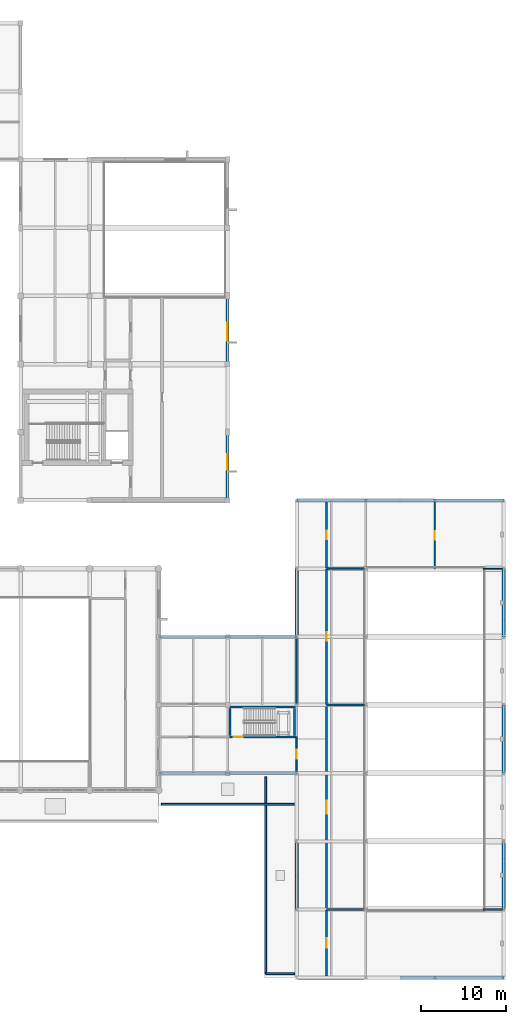
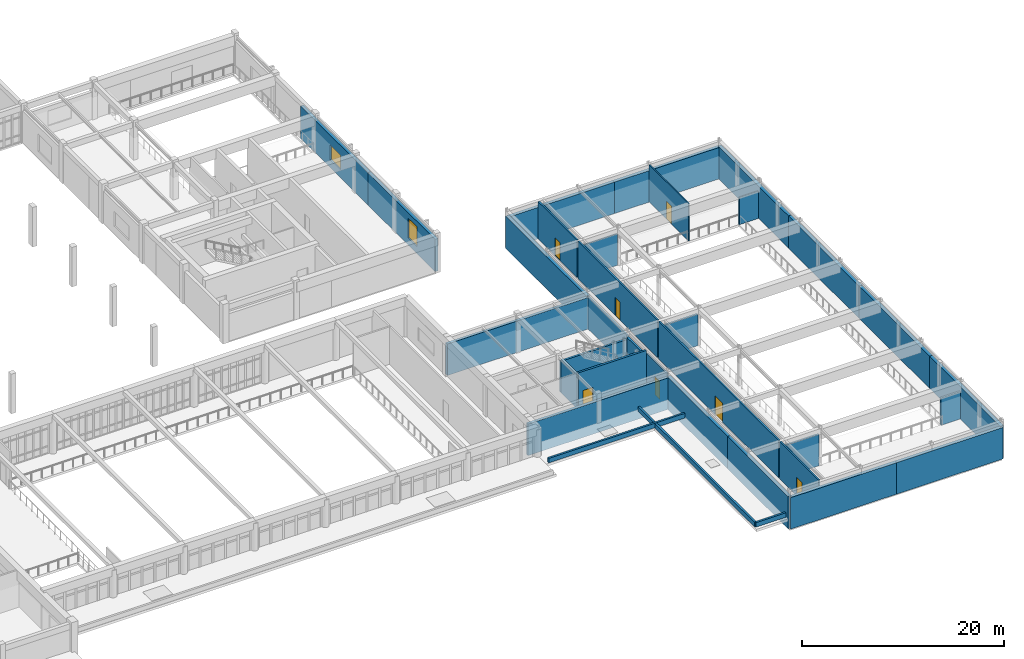
# One storey, part 49 of 61: 34 walls, 7 doors, 2 windows, 9 openings.
"""IFC4 building model written with IfcOpenShell, lengths in metres."""

import ifcopenshell
import ifcopenshell.guid

model = None  # the IFC model being written
_history = None  # IfcOwnerHistory: only IFC2X3 demands one
_inside = {}  # id of a spatial element -> (the spatial element, [elements in it])
_under = {}  # id of a project, library or spatial element -> (it, [spatial elements below it])
_declared = {}  # id of a project -> (the project, [libraries it declares])
_typed = {}  # id of a type object -> (the type object, [elements of that type])
_made_of = {}  # id of a material, layer set ... -> (it, [elements and type objects made of it])


def new_model(schema):
    """Start an empty IFC model of exactly this schema.

    Asked for "IFC4X3", IfcOpenShell would pick the latest addendum, in which some entities
    have other attributes; the version numbers below select the first issue.
    IFC2X3 requires an IfcOwnerHistory on every rooted entity: one is made here for all.
    """
    global model, _history
    if schema == "IFC4X3":
        model = ifcopenshell.file(schema_version=(4, 3, 0, 0))
    else:
        model = ifcopenshell.file(schema=schema)
    _inside.clear()
    _under.clear()
    _declared.clear()
    _typed.clear()
    _made_of.clear()
    _history = None
    if model.schema == "IFC2X3":
        org = make("IfcOrganization", Name="unknown")
        user = make(
            "IfcPersonAndOrganization",
            ThePerson=make("IfcPerson", FamilyName="unknown"),
            TheOrganization=org,
        )
        app = make(
            "IfcApplication",
            ApplicationDeveloper=org,
            Version="unknown",
            ApplicationFullName="unknown",
            ApplicationIdentifier="unknown",
        )
        _history = make(
            "IfcOwnerHistory",
            OwningUser=user,
            OwningApplication=app,
            ChangeAction="ADDED",
            CreationDate=0,
        )
    return model


def make(cls, **values):
    """One entity of the class cls with the attributes given. An attribute that is None is left unset."""
    return model.create_entity(
        cls, **{name: value for name, value in values.items() if value is not None}
    )


def rooted(cls, **values):
    """An entity with a GlobalId (a new one), such as an element, a storey or a relation."""
    return make(cls, GlobalId=ifcopenshell.guid.new(), OwnerHistory=_history, **values)


def si_unit(unit_type, name, prefix=None):
    """IfcSIUnit, for example si_unit("LENGTHUNIT", "METRE", prefix="MILLI")."""
    return make("IfcSIUnit", UnitType=unit_type, Prefix=prefix, Name=name)


def assignment(units):
    """IfcUnitAssignment: the units of a project."""
    return None if units is None else make("IfcUnitAssignment", Units=units)


def point(xyz):
    """IfcCartesianPoint."""
    return None if xyz is None else make("IfcCartesianPoint", Coordinates=xyz)


def direction(xyz):
    """IfcDirection."""
    return None if xyz is None else make("IfcDirection", DirectionRatios=xyz)


def frame(location, z_axis=None, x_axis=None):
    """IfcAxis2Placement3D, a coordinate frame: its origin and axes. An axis left out is left unset."""
    return make(
        "IfcAxis2Placement3D",
        Location=point(location),
        Axis=direction(z_axis),
        RefDirection=direction(x_axis),
    )


def frame_2d(location, x_axis=None):
    """IfcAxis2Placement2D, a coordinate frame in the plane: its origin and x axis."""
    return make(
        "IfcAxis2Placement2D", Location=point(location), RefDirection=direction(x_axis)
    )


def origin():
    """The frame at (0, 0, 0) with its axes left unset."""
    return frame((0.0, 0.0, 0.0))


def place(relative_to, where):
    """IfcLocalPlacement: puts the frame where relative to a parent placement (None: the world)."""
    return make(
        "IfcLocalPlacement", PlacementRelTo=relative_to, RelativePlacement=where
    )


def context(
    kind, dimensions, precision=None, world=None, true_north=None, identifier=None
):
    """IfcGeometricRepresentationContext, for example the 3D "Model" context."""
    return make(
        "IfcGeometricRepresentationContext",
        ContextIdentifier=identifier,
        ContextType=kind,
        CoordinateSpaceDimension=dimensions,
        Precision=precision,
        WorldCoordinateSystem=world,
        TrueNorth=true_north,
    )


def subcontext(parent, identifier, kind, view, scale=None):
    """IfcGeometricRepresentationSubContext, for example "Body" below "Model"."""
    return make(
        "IfcGeometricRepresentationSubContext",
        ContextIdentifier=identifier,
        ContextType=kind,
        ParentContext=parent,
        TargetScale=scale,
        TargetView=view,
    )


def project(units=None, contexts=None):
    """IfcProject with its units and contexts."""
    return rooted(
        "IfcProject",
        Name="project",
        RepresentationContexts=contexts,
        UnitsInContext=assignment(units),
    )


def spatial(cls, under=None, at=None, **own):
    """A site, building, storey or space (cls), placed at a placement, below another one or the project."""
    s = rooted(cls, ObjectPlacement=at, **own)
    if under is not None:
        _under.setdefault(under.id(), (under, []))[1].append(s)
    return s


def profile(cls, at=None, kind="AREA", **sizes):
    """A parametric profile (cls). Its sizes go by their IFC names, for example OverallWidth=200.0."""
    return make(cls, ProfileType=kind, Position=at, **sizes)


def rectangle(**sizes):
    """IfcRectangleProfileDef."""
    return profile("IfcRectangleProfileDef", **sizes)


def extrude(swept, where, along, depth):
    """IfcExtrudedAreaSolid: the profile swept, set in the frame where, extruded along a direction by depth."""
    return make(
        "IfcExtrudedAreaSolid",
        SweptArea=swept,
        Position=where,
        ExtrudedDirection=direction(along),
        Depth=depth,
    )


def shape(context_of_items, identifier, shape_type, items):
    """IfcShapeRepresentation: the items that make up one representation, for example the "Body"."""
    return make(
        "IfcShapeRepresentation",
        ContextOfItems=context_of_items,
        RepresentationIdentifier=identifier,
        RepresentationType=shape_type,
        Items=items,
    )


def material(Name=None, Category=None):
    """IfcMaterial."""
    return make("IfcMaterial", Name=Name, Category=Category)


def layer(
    of_material, thickness, ventilated=None, Name=None, Category=None, Priority=None
):
    """IfcMaterialLayer: one layer of a wall or slab, of a material (None: an air gap)."""
    return make(
        "IfcMaterialLayer",
        Material=of_material,
        LayerThickness=thickness,
        IsVentilated=ventilated,
        Name=Name,
        Category=Category,
        Priority=Priority,
    )


def layer_set(layers, Name=None):
    """IfcMaterialLayerSet."""
    return make("IfcMaterialLayerSet", MaterialLayers=layers, LayerSetName=Name)


def made_of(thing, what):
    """Note that an element or type object is made of a material, layer set ...; save() writes the relation."""
    if what is not None:
        _made_of.setdefault(what.id(), (what, []))[1].append(thing)
    return thing


def type_object(cls, material=None, **own):
    """A type object (cls), such as IfcWallType, which elements share."""
    return made_of(rooted(cls, **own), material)


def element(
    cls,
    number,
    at=None,
    inside=None,
    cuts=None,
    type_object=None,
    material=None,
    context=None,
    identifier="Body",
    shape_type=None,
    held_by="IfcProductDefinitionShape",
    body=None,
    shapes=None,
    **own,
):
    """One element of the class cls, such as IfcWall. Its Tag is "e" and its number.

    at: its placement. inside: the storey or other place that contains it. cuts: it is an
    opening in that element (IfcRelVoidsElement). A single representation is given by context,
    identifier, shape_type and body (its items); several are given by shapes. held_by: the class
    of the entity that holds the representations. save() writes the other relations.
    """
    e = rooted(cls, Tag="e%d" % number, ObjectPlacement=at, **own)
    if body is not None:
        shapes = [shape(context, identifier, shape_type, body)]
    if shapes is not None:
        e.Representation = make(held_by, Representations=shapes)
    if inside is not None:
        _inside.setdefault(inside.id(), (inside, []))[1].append(e)
    if cuts is not None:
        rooted(
            "IfcRelVoidsElement", RelatingBuildingElement=cuts, RelatedOpeningElement=e
        )
    if type_object is not None:
        _typed.setdefault(type_object.id(), (type_object, []))[1].append(e)
    return made_of(e, material)


def fill(opening, filler):
    """IfcRelFillsElement: the door or window that sits in an opening."""
    return rooted(
        "IfcRelFillsElement",
        RelatingOpeningElement=opening,
        RelatedBuildingElement=filler,
    )


def aggregate(whole, parts):
    """IfcRelAggregates: a whole, such as a stair, and the parts it consists of."""
    return rooted("IfcRelAggregates", RelatingObject=whole, RelatedObjects=parts)


def save(model, path):
    """Write the relations noted so far, then the file.

    IfcRelAggregates (storeys below a building ...), IfcRelContainedInSpatialStructure (elements
    in a storey), IfcRelDefinesByType, IfcRelAssociatesMaterial and IfcRelDeclares: one each for
    every whole, place, type object, material and project.
    """
    for whole, parts in _under.values():
        aggregate(whole, parts)
    for where, things in _inside.values():
        rooted(
            "IfcRelContainedInSpatialStructure",
            RelatedElements=things,
            RelatingStructure=where,
        )
    for kind, things in _typed.values():
        rooted("IfcRelDefinesByType", RelatedObjects=things, RelatingType=kind)
    for what, things in _made_of.values():
        rooted("IfcRelAssociatesMaterial", RelatedObjects=things, RelatingMaterial=what)
    for by, libraries in _declared.values():
        rooted("IfcRelDeclares", RelatingContext=by, RelatedDefinitions=libraries)
    model.write(path)


model = new_model("IFC4")

# Units and contexts
model_context = context("Model", 3, precision=1e-05, world=origin(), true_north=direction((0.0, 1.0)))
body_context = subcontext(model_context, "Body", "Model", "MODEL_VIEW")
ifc_project = project(units=[si_unit("LENGTHUNIT", "METRE"), si_unit("AREAUNIT", "SQUARE_METRE"), si_unit("VOLUMEUNIT", "CUBIC_METRE"), si_unit("PLANEANGLEUNIT", "RADIAN"), si_unit("MASSUNIT", "GRAM", prefix="KILO")], contexts=[model_context])

# Site, building, storey
site_placement = place(None, origin())
site = spatial("IfcSite", under=ifc_project, at=site_placement, CompositionType="ELEMENT")
building_placement = place(site_placement, origin())
building = spatial("IfcBuilding", under=site, at=building_placement, Name="Tarnveldt Square Police Headquarters", CompositionType="ELEMENT")
storey_placement = place(building_placement, frame((0.0, 0.0, 5.39990234375)))
storey = spatial("IfcBuildingStorey", under=building, at=storey_placement, Name="L01", CompositionType="ELEMENT", Elevation=5.39990234375)

# Walls
ifc_material_1 = material(Name="Fire-rated Type X gypsum board on steel studs", Category="steel")
ifc_layer_1 = layer(ifc_material_1, 0.199951171875)
ifc_layer_set_1 = layer_set([ifc_layer_1], Name="Fire-rated Type X gypsum board on steel studs")
wall_type_1 = type_object("IfcWallType", Name="WL-ACOUST-200", PredefinedType="PARTITIONING", material=ifc_layer_set_1)
for number, where, z_axis, x_axis, name in (
    (1, (141.199951171875, 8.0, 0.0), (0.0, 0.0, 1.0), (1.0, 0.0, 0.0), "L01 Interior Partition Wall 0258"),
    (2, (141.199951171875, 32.0, 0.0), (0.0, 0.0, 1.0), (1.0, 0.0, 0.0), "L01 Interior Partition Wall 0259"),
):
    element("IfcWall", number, at=place(storey_placement, frame(where, z_axis=z_axis, x_axis=x_axis)), inside=storey, type_object=wall_type_1, Name=name, PredefinedType="PARTITIONING", context=body_context, shape_type="SweptSolid", body=[
        extrude(rectangle(XDim=4.4306640625, YDim=0.199951171875, at=frame_2d((2.21533203125, 0.0))), origin(), (0.0, 0.0, 1.0), 3.81201171875),
    ])
wall_1_placement = place(storey_placement, frame((159.610107421875, 8.0, 0.0), z_axis=(0.0, 0.0, 1.0), x_axis=(1.0, 0.0, 0.0)))
element("IfcWall", 3, at=wall_1_placement, inside=storey, type_object=wall_type_1, Name="L01 Interior Partition Wall 0261", PredefinedType="PARTITIONING", context=body_context, shape_type="SweptSolid", body=[
    extrude(rectangle(XDim=2.19189453125, YDim=0.199951171875, at=frame_2d((1.095947265625, 0.0))), origin(), (0.0, 0.0, 1.0), 3.31201171875),
])

# Wall, opening, window
ifc_material_2 = material(Name="Concrete 40 MPa", Category="concrete")
ifc_layer_2 = layer(ifc_material_2, 0.35009765625)
ifc_layer_set_2 = layer_set([ifc_layer_2], Name="Concrete 40 MPa")
wall_type_2 = type_object("IfcWallType", Name="WL-CUST-350", PredefinedType="SOLIDWALL", material=ifc_layer_set_2)
wall_2_placement = place(storey_placement, frame((129.60009765625, 56.0, 0.0), z_axis=(0.0, 0.0, 1.0), x_axis=(0.0, 1.0, 0.0)))
wall_2 = element("IfcWall", 4, at=wall_2_placement, inside=storey, type_object=wall_type_2, Name="L01 Brutalist Exterior Wall 0105", PredefinedType="SOLIDWALL", context=body_context, shape_type="SweptSolid", body=[
    extrude(rectangle(XDim=13.333251953125, YDim=0.35009765625, at=frame_2d((6.66650390625, 0.0))), origin(), (0.0, 0.0, 1.0), 3.912109375),
])
opening_1_placement = place(wall_2_placement, frame((3.60009765625, 0.0, 0.85009765625)))
opening_1 = element("IfcOpeningElement", 5, at=opening_1_placement, cuts=wall_2, Name="Opening W11", PredefinedType="OPENING", context=body_context, shape_type="SweptSolid", body=[
    extrude(rectangle(XDim=1.800048828125, YDim=2.39990234375, at=frame_2d((0.89990234375, 1.199951171875))), frame((0.0, 0.18505859375, 0.0), z_axis=(0.0, -1.0, 0.0), x_axis=(1.0, 0.0, 0.0)), (0.0, 0.0, 1.0), 0.3701171875),
])
ifc_material_3 = material(Name="Triple-glazed low-e laminated vision glass", Category="glass")
window_type_1 = type_object("IfcWindowType", Name="WIN-DR-180x240", PartitioningType="TRIPLE_PANEL_VERTICAL", PredefinedType="WINDOW", material=ifc_material_3)
window_1_placement = place(opening_1_placement, origin())
window_1 = element("IfcWindow", 6, at=window_1_placement, inside=storey, type_object=window_type_1, Name="L01 Deep-Reveal Brutalist Window 0035", OverallHeight=2.39990234375, OverallWidth=1.800048828125, PartitioningType="TRIPLE_PANEL_VERTICAL", PredefinedType="WINDOW", context=body_context, shape_type="SweptSolid", body=[
    extrude(rectangle(XDim=1.800048828125, YDim=2.39990234375, at=frame_2d((0.89990234375, 1.199951171875))), frame((0.0, 0.030029296875, 0.0), z_axis=(0.0, -1.0, 0.0), x_axis=(1.0, 0.0, 0.0)), (0.0, 0.0, 1.0), 0.06005859375),
])
fill(opening_1, window_1)

wall_3_placement = place(storey_placement, frame((129.60009765625, 69.333251953125, 0.0), z_axis=(0.0, 0.0, 1.0), x_axis=(0.0, 1.0, 0.0)))
wall_3 = element("IfcWall", 7, at=wall_3_placement, inside=storey, type_object=wall_type_2, Name="L01 Brutalist Exterior Wall 0106", PredefinedType="SOLIDWALL", context=body_context, shape_type="SweptSolid", body=[
    extrude(rectangle(XDim=13.33349609375, YDim=0.35009765625, at=frame_2d((6.666748046875, 0.0))), origin(), (0.0, 0.0, 1.0), 3.912109375),
])
opening_2_placement = place(wall_3_placement, frame((5.39990234375, 0.0, 0.949951171875)))
opening_2 = element("IfcOpeningElement", 8, at=opening_2_placement, cuts=wall_3, Name="Opening W12", PredefinedType="OPENING", context=body_context, shape_type="SweptSolid", body=[
    extrude(rectangle(XDim=2.10009765625, YDim=1.800048828125, at=frame_2d((1.050048828125, 0.89990234375))), frame((0.0, 0.18505859375, 0.0), z_axis=(0.0, -1.0, 0.0), x_axis=(1.0, 0.0, 0.0)), (0.0, 0.0, 1.0), 0.3701171875),
])
window_type_2 = type_object("IfcWindowType", Name="WIN-DR-210x180", PartitioningType="DOUBLE_PANEL_VERTICAL", PredefinedType="WINDOW", material=ifc_material_3)
window_2_placement = place(opening_2_placement, origin())
window_2 = element("IfcWindow", 9, at=window_2_placement, inside=storey, type_object=window_type_2, Name="L01 Deep-Reveal Brutalist Window 0036", OverallHeight=1.800048828125, OverallWidth=2.10009765625, PartitioningType="DOUBLE_PANEL_VERTICAL", PredefinedType="WINDOW", context=body_context, shape_type="SweptSolid", body=[
    extrude(rectangle(XDim=2.10009765625, YDim=1.800048828125, at=frame_2d((1.050048828125, 0.89990234375))), frame((0.0, 0.030029296875, 0.0), z_axis=(0.0, -1.0, 0.0), x_axis=(1.0, 0.0, 0.0)), (0.0, 0.0, 1.0), 0.06005859375),
])
fill(opening_2, window_2)

# Walls
ifc_layer_3 = layer(ifc_material_2, 0.320068359375)
ifc_layer_set_3 = layer_set([ifc_layer_3], Name="Concrete 40 MPa")
wall_type_3 = type_object("IfcWallType", Name="WL-EXT-BH320", PredefinedType="SOLIDWALL", material=ifc_layer_set_3)
for number, where, z_axis, x_axis, name in (
    (10, (121.5, 24.0, 0.0), (0.0, 0.0, 1.0), (1.0, 0.0, 0.0), "L01 Brutalist Exterior Wall 0067"),
    (11, (137.699951171875, 40.0, 0.0), (0.0, 0.0, 1.0), (-1.0, 0.0, 0.0), "L01 Brutalist Exterior Wall 0079"),
):
    element("IfcWall", number, at=place(storey_placement, frame(where, z_axis=z_axis, x_axis=x_axis)), inside=storey, type_object=wall_type_3, Name=name, PredefinedType="SOLIDWALL", context=body_context, shape_type="SweptSolid", body=[
        extrude(rectangle(XDim=16.199951171875, YDim=0.320068359375, at=frame_2d((8.10009765625, 0.0))), origin(), (0.0, 0.0, 1.0), 3.81201171875),
    ])

# Wall, opening, door
ifc_layer_4 = layer(ifc_material_1, 0.179931640625)
ifc_layer_set_4 = layer_set([ifc_layer_4], Name="Fire-rated Type X gypsum board on steel studs")
wall_type_4 = type_object("IfcWallType", Name="WL-FIRE-180", PredefinedType="PARTITIONING", material=ifc_layer_set_4)
wall_4_placement = place(storey_placement, frame((137.699951171875, 24.16943359375, 0.0), z_axis=(0.0, 0.0, 1.0), x_axis=(0.0, 1.0, 0.0)))
wall_4 = element("IfcWall", 12, at=wall_4_placement, inside=storey, type_object=wall_type_4, Name="L01 Interior Partition Wall 0323", PredefinedType="PARTITIONING", context=body_context, shape_type="SweptSolid", body=[
    extrude(rectangle(XDim=4.090576171875, YDim=0.179931640625, at=frame_2d((2.04541015625, 0.0))), origin(), (0.0, 0.0, 1.0), 4.09521484375),
])
opening_3_placement = place(wall_4_placement, frame((1.545166015625, 0.0, 0.0)))
opening_3 = element("IfcOpeningElement", 13, at=opening_3_placement, cuts=wall_4, Name="Opening D14", PredefinedType="OPENING", context=body_context, shape_type="SweptSolid", body=[
    extrude(rectangle(XDim=1.0, YDim=2.14990234375, at=frame_2d((0.5, 1.074951171875))), frame((0.0, 0.099853515625, 0.0), z_axis=(0.0, -1.0, 0.0), x_axis=(1.0, 0.0, 0.0)), (0.0, 0.0, 1.0), 0.199951171875),
])
ifc_material_4 = material(Name="Insulated hollow metal steel door leaf", Category="steel")
door_type_1 = type_object("IfcDoorType", Name="DR-FD60-1000", OperationType="NOTDEFINED", PredefinedType="DOOR", material=ifc_material_4)
door_1_placement = place(opening_3_placement, origin())
door_1 = element("IfcDoor", 14, at=door_1_placement, inside=storey, type_object=door_type_1, Name="Athletics Link Corridor Secondary Door", OperationType="SINGLE_SWING_LEFT", OverallHeight=2.14990234375, OverallWidth=1.0, PredefinedType="DOOR", context=body_context, shape_type="SweptSolid", body=[
    extrude(rectangle(XDim=1.0, YDim=2.14990234375, at=frame_2d((0.5, 1.074951171875))), frame((0.0, 0.02490234375, 0.0), z_axis=(0.0, -1.0, 0.0), x_axis=(1.0, 0.0, 0.0)), (0.0, 0.0, 1.0), 0.050048828125),
])
fill(opening_3, door_1)

# Wall
wall_5_placement = place(storey_placement, frame((137.699951171875, 32.16943359375, 0.0), z_axis=(0.0, 0.0, 1.0), x_axis=(0.0, 1.0, 0.0)))
element("IfcWall", 15, at=wall_5_placement, inside=storey, type_object=wall_type_4, Name="L01 Interior Partition Wall 0324", PredefinedType="PARTITIONING", context=body_context, shape_type="SweptSolid", body=[
    extrude(rectangle(XDim=7.6611328125, YDim=0.179931640625, at=frame_2d((3.83056640625, 0.0))), origin(), (0.0, 0.0, 1.0), 3.912109375),
])

# Wall, opening, door
wall_6_placement = place(storey_placement, frame((141.199951171875, 0.197998046875, 0.0), z_axis=(0.0, 0.0, 1.0), x_axis=(0.0, 1.0, 0.0)))
wall_6 = element("IfcWall", 16, at=wall_6_placement, inside=storey, type_object=wall_type_4, Name="L01 Interior Partition Wall 0325", PredefinedType="PARTITIONING", context=body_context, shape_type="SweptSolid", body=[
    extrude(rectangle(XDim=7.694091796875, YDim=0.179931640625, at=frame_2d((3.84716796875, 0.0))), origin(), (0.0, 0.0, 1.0), 4.52001953125),
])
opening_4_placement = place(wall_6_placement, frame((3.297119140625, 0.0, 0.0)))
opening_4 = element("IfcOpeningElement", 17, at=opening_4_placement, cuts=wall_6, Name="Opening D07", PredefinedType="OPENING", context=body_context, shape_type="SweptSolid", body=[
    extrude(rectangle(XDim=1.10009765625, YDim=2.199951171875, at=frame_2d((0.550048828125, 1.10009765625))), frame((0.0, 0.099853515625, 0.0), z_axis=(0.0, -1.0, 0.0), x_axis=(1.0, 0.0, 0.0)), (0.0, 0.0, 1.0), 0.199951171875),
])
ifc_material_5 = material(Name="Solid core architectural birch door leaf", Category="wood")
door_type_2 = type_object("IfcDoorType", Name="DR-INT-1100", OperationType="NOTDEFINED", PredefinedType="DOOR", material=ifc_material_5)
door_2_placement = place(opening_4_placement, frame((1.10009765625, 0.0, 0.0), z_axis=(0.0, 0.0, 1.0), x_axis=(-1.0, 0.0, 0.0)))
door_2 = element("IfcDoor", 18, at=door_2_placement, inside=storey, type_object=door_type_2, Name="Cardiovascular Conditioning Studio Door", OperationType="SINGLE_SWING_RIGHT", OverallHeight=2.199951171875, OverallWidth=1.10009765625, PredefinedType="DOOR", context=body_context, shape_type="SweptSolid", body=[
    extrude(rectangle(XDim=1.10009765625, YDim=2.199951171875, at=frame_2d((0.550048828125, 1.10009765625))), frame((0.0, 0.02490234375, 0.0), z_axis=(0.0, -1.0, 0.0), x_axis=(1.0, 0.0, 0.0)), (0.0, 0.0, 1.0), 0.050048828125),
])
fill(opening_4, door_2)

wall_7_placement = place(storey_placement, frame((141.199951171875, 8.10791015625, 0.0), z_axis=(0.0, 0.0, 1.0), x_axis=(0.0, 1.0, 0.0)))
wall_7 = element("IfcWall", 19, at=wall_7_placement, inside=storey, type_object=wall_type_4, Name="L01 Interior Partition Wall 0326", PredefinedType="PARTITIONING", context=body_context, shape_type="SweptSolid", body=[
    extrude(rectangle(XDim=23.7841796875, YDim=0.179931640625, at=frame_2d((11.89208984375, 0.0))), origin(), (0.0, 0.0, 1.0), 4.52001953125),
])
opening_5_placement = place(wall_7_placement, frame((11.14208984375, 0.0, 0.0)))
opening_5 = element("IfcOpeningElement", 20, at=opening_5_placement, cuts=wall_7, Name="Opening D22", PredefinedType="OPENING", context=body_context, shape_type="SweptSolid", body=[
    extrude(rectangle(XDim=1.5, YDim=2.300048828125, at=frame_2d((0.75, 1.14990234375))), frame((0.0, 0.099853515625, 0.0), z_axis=(0.0, -1.0, 0.0), x_axis=(1.0, 0.0, 0.0)), (0.0, 0.0, 1.0), 0.199951171875),
])
door_type_3 = type_object("IfcDoorType", Name="DR-PAIR-1500", OperationType="DOUBLE_DOOR_SINGLE_SWING", PredefinedType="DOOR", material=ifc_material_5)
door_3_placement = place(opening_5_placement, frame((1.5, 0.0, 0.0), z_axis=(0.0, 0.0, 1.0), x_axis=(-1.0, 0.0, 0.0)))
door_3 = element("IfcDoor", 21, at=door_3_placement, inside=storey, type_object=door_type_3, Name="Officer Conditioning Gymnasium Door", OperationType="DOUBLE_DOOR_SINGLE_SWING", OverallHeight=2.300048828125, OverallWidth=1.5, PredefinedType="DOOR", context=body_context, shape_type="SweptSolid", body=[
    extrude(rectangle(XDim=1.5, YDim=2.300048828125, at=frame_2d((0.75, 1.14990234375))), frame((0.0, 0.02490234375, 0.0), z_axis=(0.0, -1.0, 0.0), x_axis=(1.0, 0.0, 0.0)), (0.0, 0.0, 1.0), 0.050048828125),
])
fill(opening_5, door_3)

wall_8_placement = place(storey_placement, frame((141.199951171875, 32.10791015625, 0.0), z_axis=(0.0, 0.0, 1.0), x_axis=(0.0, 1.0, 0.0)))
wall_8 = element("IfcWall", 22, at=wall_8_placement, inside=storey, type_object=wall_type_4, Name="L01 Interior Partition Wall 0327", PredefinedType="PARTITIONING", context=body_context, shape_type="SweptSolid", body=[
    extrude(rectangle(XDim=15.80419921875, YDim=0.179931640625, at=frame_2d((7.902099609375, 0.0))), origin(), (0.0, 0.0, 1.0), 4.52001953125),
])
opening_6_placement = place(wall_8_placement, frame((7.402099609375, 0.0, 0.0)))
opening_6 = element("IfcOpeningElement", 23, at=opening_6_placement, cuts=wall_8, Name="Opening D05", PredefinedType="OPENING", context=body_context, shape_type="SweptSolid", body=[
    extrude(rectangle(XDim=1.0, YDim=2.199951171875, at=frame_2d((0.5, 1.10009765625))), frame((0.0, 0.099853515625, 0.0), z_axis=(0.0, -1.0, 0.0), x_axis=(1.0, 0.0, 0.0)), (0.0, 0.0, 1.0), 0.199951171875),
])
door_type_4 = type_object("IfcDoorType", Name="DR-INT-1000", OperationType="NOTDEFINED", PredefinedType="DOOR", material=ifc_material_5)
door_4_placement = place(opening_6_placement, frame((1.0, 0.0, 0.0), z_axis=(0.0, 0.0, 1.0), x_axis=(-1.0, 0.0, 0.0)))
door_4 = element("IfcDoor", 24, at=door_4_placement, inside=storey, type_object=door_type_4, Name="Officer Fitness Locker Suite Door", OperationType="SINGLE_SWING_LEFT", OverallHeight=2.199951171875, OverallWidth=1.0, PredefinedType="DOOR", context=body_context, shape_type="SweptSolid", body=[
    extrude(rectangle(XDim=1.0, YDim=2.199951171875, at=frame_2d((0.5, 1.10009765625))), frame((0.0, 0.02490234375, 0.0), z_axis=(0.0, -1.0, 0.0), x_axis=(1.0, 0.0, 0.0)), (0.0, 0.0, 1.0), 0.050048828125),
])
fill(opening_6, door_4)

wall_9_placement = place(storey_placement, frame((141.199951171875, 48.087890625, 0.0), z_axis=(0.0, 0.0, 1.0), x_axis=(0.0, 1.0, 0.0)))
wall_9 = element("IfcWall", 25, at=wall_9_placement, inside=storey, type_object=wall_type_4, Name="L01 Interior Partition Wall 0328", PredefinedType="PARTITIONING", context=body_context, shape_type="SweptSolid", body=[
    extrude(rectangle(XDim=7.714111328125, YDim=0.179931640625, at=frame_2d((3.85693359375, 0.0))), origin(), (0.0, 0.0, 1.0), 4.52001953125),
])
opening_7_placement = place(wall_9_placement, frame((3.35693359375, 0.0, 0.0)))
opening_7 = element("IfcOpeningElement", 26, at=opening_7_placement, cuts=wall_9, Name="Opening D05", PredefinedType="OPENING", context=body_context, shape_type="SweptSolid", body=[
    extrude(rectangle(XDim=1.0, YDim=2.199951171875, at=frame_2d((0.5, 1.10009765625))), frame((0.0, 0.099853515625, 0.0), z_axis=(0.0, -1.0, 0.0), x_axis=(1.0, 0.0, 0.0)), (0.0, 0.0, 1.0), 0.199951171875),
])
door_5_placement = place(opening_7_placement, frame((1.0, 0.0, 0.0), z_axis=(0.0, 0.0, 1.0), x_axis=(-1.0, 0.0, 0.0)))
door_5 = element("IfcDoor", 27, at=door_5_placement, inside=storey, type_object=door_type_4, Name="Athletic Recovery Therapy Studio Door", OperationType="SINGLE_SWING_RIGHT", OverallHeight=2.199951171875, OverallWidth=1.0, PredefinedType="DOOR", context=body_context, shape_type="SweptSolid", body=[
    extrude(rectangle(XDim=1.0, YDim=2.199951171875, at=frame_2d((0.5, 1.10009765625))), frame((0.0, 0.02490234375, 0.0), z_axis=(0.0, -1.0, 0.0), x_axis=(1.0, 0.0, 0.0)), (0.0, 0.0, 1.0), 0.050048828125),
])
fill(opening_7, door_5)

ifc_material_6 = material(Name="Concrete block masonry 15 MPa", Category="masonry")
ifc_layer_5 = layer(ifc_material_6, 0.239990234375)
ifc_layer_set_5 = layer_set([ifc_layer_5], Name="Concrete block masonry 15 MPa")
wall_type_5 = type_object("IfcWallType", Name="WL-FIRE-240", PredefinedType="PARTITIONING", material=ifc_layer_set_5)
wall_10_placement = place(storey_placement, frame((129.760009765625, 28.260009765625, 0.0), z_axis=(0.0, 0.0, 1.0), x_axis=(1.0, 0.0, 0.0)))
wall_10 = element("IfcWall", 28, at=wall_10_placement, inside=storey, type_object=wall_type_5, Name="Exit Stair ST7 L01 S Enclosure Wall", PredefinedType="PARTITIONING", context=body_context, shape_type="SweptSolid", body=[
    extrude(rectangle(XDim=7.780029296875, YDim=0.239990234375, at=frame_2d((3.89013671875, 0.0))), origin(), (0.0, 0.0, 1.0), 4.52001953125),
])
opening_8_placement = place(wall_10_placement, frame((0.5400390625, 0.0, 0.0)))
opening_8 = element("IfcOpeningElement", 29, at=opening_8_placement, cuts=wall_10, Name="Opening D-ST7-L01", PredefinedType="OPENING", context=body_context, shape_type="SweptSolid", body=[
    extrude(rectangle(XDim=1.10009765625, YDim=2.199951171875, at=frame_2d((0.550048828125, 1.10009765625))), frame((0.0, 0.1298828125, 0.0), z_axis=(0.0, -1.0, 0.0), x_axis=(1.0, 0.0, 0.0)), (0.0, 0.0, 1.0), 0.260009765625),
])
door_type_5 = type_object("IfcDoorType", Name="DR-FD90-1100", OperationType="NOTDEFINED", PredefinedType="DOOR", material=ifc_material_4)
door_6_placement = place(opening_8_placement, origin())
door_6 = element("IfcDoor", 30, at=door_6_placement, inside=storey, type_object=door_type_5, Name="Exit Stair ST7 L01 Fire Door", OperationType="SINGLE_SWING_LEFT", OverallHeight=2.199951171875, OverallWidth=1.10009765625, PredefinedType="DOOR", context=body_context, shape_type="SweptSolid", body=[
    extrude(rectangle(XDim=1.10009765625, YDim=2.199951171875, at=frame_2d((0.550048828125, 1.10009765625))), frame((0.0, 0.02490234375, 0.0), z_axis=(0.0, -1.0, 0.0), x_axis=(1.0, 0.0, 0.0)), (0.0, 0.0, 1.0), 0.050048828125),
])
fill(opening_8, door_6)

# Walls
wall_11_placement = place(storey_placement, frame((129.760009765625, 31.739990234375, 0.0), z_axis=(0.0, 0.0, 1.0), x_axis=(1.0, 0.0, 0.0)))
element("IfcWall", 31, at=wall_11_placement, inside=storey, type_object=wall_type_5, Name="Exit Stair ST7 L01 N Enclosure Wall", PredefinedType="PARTITIONING", context=body_context, shape_type="SweptSolid", body=[
    extrude(rectangle(XDim=7.780029296875, YDim=0.239990234375, at=frame_2d((3.89013671875, 0.0))), origin(), (0.0, 0.0, 1.0), 3.81201171875),
])
for number, where, z_axis, x_axis, name in (
    (32, (129.8798828125, 28.389892578125, 0.0), (0.0, 0.0, 1.0), (0.0, 1.0, 0.0), "Exit Stair ST7 L01 W Enclosure Wall"),
    (33, (137.419921875, 28.389892578125, 0.0), (0.0, 0.0, 1.0), (0.0, 1.0, 0.0), "Exit Stair ST7 L01 E Enclosure Wall"),
):
    element("IfcWall", number, at=place(storey_placement, frame(where, z_axis=z_axis, x_axis=x_axis)), inside=storey, type_object=wall_type_5, Name=name, PredefinedType="PARTITIONING", context=body_context, shape_type="SweptSolid", body=[
        extrude(rectangle(XDim=3.22021484375, YDim=0.239990234375, at=frame_2d((1.610107421875, 0.0))), origin(), (0.0, 0.0, 1.0), 4.09521484375),
    ])
ifc_material_7 = material(Name="Precast concrete 35 MPa", Category="concrete")
ifc_layer_6 = layer(ifc_material_7, 0.219970703125)
ifc_layer_set_6 = layer_set([ifc_layer_6], Name="Precast concrete 35 MPa")
wall_type_6 = type_object("IfcWallType", Name="WL-PAR-220", PredefinedType="PARAPET", material=ifc_layer_set_6)
wall_12_placement = place(storey_placement, frame((121.800048828125, 20.35009765625, 1.2001953125), z_axis=(0.0, 0.0, 1.0), x_axis=(1.0, 0.0, 0.0)))
element("IfcWall", 34, at=wall_12_placement, inside=storey, type_object=wall_type_6, Name="Colonnade Precast Upstand Parapet PAR-CND-SE", PredefinedType="PARAPET", context=body_context, shape_type="SweptSolid", body=[
    extrude(rectangle(XDim=15.599853515625, YDim=0.219970703125, at=frame_2d((7.7998046875, 0.0))), origin(), (0.0, 0.0, 1.0), 0.5498046875),
])
wall_13_placement = place(storey_placement, frame((134.050048828125, 0.449951171875, 1.2001953125), z_axis=(0.0, 0.0, 1.0), x_axis=(0.0, 1.0, 0.0)))
element("IfcWall", 35, at=wall_13_placement, inside=storey, type_object=wall_type_6, Name="Colonnade Precast Upstand Parapet PAR-CND-EF", PredefinedType="PARAPET", context=body_context, shape_type="SweptSolid", body=[
    extrude(rectangle(XDim=23.10009765625, YDim=0.219970703125, at=frame_2d((11.550048828125, 0.0))), origin(), (0.0, 0.0, 1.0), 0.5498046875),
])
wall_14_placement = place(storey_placement, frame((134.050048828125, 0.449951171875, 1.2001953125), z_axis=(0.0, 0.0, 1.0), x_axis=(1.0, 0.0, 0.0)))
element("IfcWall", 36, at=wall_14_placement, inside=storey, type_object=wall_type_6, Name="Colonnade Precast Upstand Parapet PAR-CND-EEND", PredefinedType="PARAPET", context=body_context, shape_type="SweptSolid", body=[
    extrude(rectangle(XDim=3.449951171875, YDim=0.219970703125, at=frame_2d((1.72509765625, 0.0))), origin(), (0.0, 0.0, 1.0), 0.5498046875),
])
ifc_layer_7 = layer(ifc_material_1, 0.1201171875)
ifc_layer_set_7 = layer_set([ifc_layer_7], Name="Fire-rated Type X gypsum board on steel studs")
wall_type_7 = type_object("IfcWallType", Name="WL-PART-120", PredefinedType="PARTITIONING", material=ifc_layer_set_7)
wall_15_placement = place(storey_placement, frame((159.610107421875, 48.0, 0.0), z_axis=(0.0, 0.0, 1.0), x_axis=(1.0, 0.0, 0.0)))
element("IfcWall", 37, at=wall_15_placement, inside=storey, type_object=wall_type_7, Name="L01 Interior Partition Wall 0262", PredefinedType="PARTITIONING", context=body_context, shape_type="SweptSolid", body=[
    extrude(rectangle(XDim=2.19189453125, YDim=0.1201171875, at=frame_2d((1.095947265625, 0.0))), origin(), (0.0, 0.0, 1.0), 3.31201171875),
])

# Wall, opening, door
ifc_layer_8 = layer(ifc_material_1, 0.1298828125)
ifc_layer_set_8 = layer_set([ifc_layer_8], Name="Fire-rated Type X gypsum board on steel studs")
wall_type_8 = type_object("IfcWallType", Name="WL-PART-130", PredefinedType="PARTITIONING", material=ifc_layer_set_8)
wall_16_placement = place(storey_placement, frame((153.89990234375, 48.010009765625, 0.0), z_axis=(0.0, 0.0, 1.0), x_axis=(0.0, 1.0, 0.0)))
wall_16 = element("IfcWall", 38, at=wall_16_placement, inside=storey, type_object=wall_type_8, Name="L01 Interior Partition Wall 0329", PredefinedType="PARTITIONING", context=body_context, shape_type="SweptSolid", body=[
    extrude(rectangle(XDim=7.7919921875, YDim=0.1298828125, at=frame_2d((3.89599609375, 0.0))), origin(), (0.0, 0.0, 1.0), 4.52001953125),
])
opening_9_placement = place(wall_16_placement, frame((3.39599609375, 0.0, 0.0)))
opening_9 = element("IfcOpeningElement", 39, at=opening_9_placement, cuts=wall_16, Name="Opening D05", PredefinedType="OPENING", context=body_context, shape_type="SweptSolid", body=[
    extrude(rectangle(XDim=1.0, YDim=2.199951171875, at=frame_2d((0.5, 1.10009765625))), frame((0.0, 0.074951171875, 0.0), z_axis=(0.0, -1.0, 0.0), x_axis=(1.0, 0.0, 0.0)), (0.0, 0.0, 1.0), 0.14990234375),
])
door_7_placement = place(opening_9_placement, frame((1.0, 0.0, 0.0), z_axis=(0.0, 0.0, 1.0), x_axis=(-1.0, 0.0, 0.0)))
door_7 = element("IfcDoor", 40, at=door_7_placement, inside=storey, type_object=door_type_4, Name="Tactical Mobility Conditioning Studio Door", OperationType="SINGLE_SWING_LEFT", OverallHeight=2.199951171875, OverallWidth=1.0, PredefinedType="DOOR", context=body_context, shape_type="SweptSolid", body=[
    extrude(rectangle(XDim=1.0, YDim=2.199951171875, at=frame_2d((0.5, 1.10009765625))), frame((0.0, 0.02490234375, 0.0), z_axis=(0.0, -1.0, 0.0), x_axis=(1.0, 0.0, 0.0)), (0.0, 0.0, 1.0), 0.050048828125),
])
fill(opening_9, door_7)

# Walls
ifc_layer_9 = layer(ifc_material_2, 0.3798828125)
ifc_layer_set_9 = layer_set([ifc_layer_9], Name="Concrete 40 MPa")
wall_type_9 = type_object("IfcWallType", Name="WL-RANGE-380", PredefinedType="SOLIDWALL", material=ifc_layer_set_9)
for number, where, z_axis, x_axis, name in (
    (41, (137.699951171875, 24.0, 0.0), (0.0, 0.0, 1.0), (0.0, -1.0, 0.0), "L01 Brutalist Exterior Wall 0068"),
    (42, (137.699951171875, 12.0, 0.0), (0.0, 0.0, 1.0), (0.0, -1.0, 0.0), "L01 Brutalist Exterior Wall 0069"),
):
    element("IfcWall", number, at=place(storey_placement, frame(where, z_axis=z_axis, x_axis=x_axis)), inside=storey, type_object=wall_type_9, Name=name, PredefinedType="SOLIDWALL", context=body_context, shape_type="SweptSolid", body=[
        extrude(rectangle(XDim=12.0, YDim=0.3798828125, at=frame_2d((6.0, 0.0))), origin(), (0.0, 0.0, 1.0), 3.912109375),
    ])
wall_17_placement = place(storey_placement, frame((137.699951171875, 0.0, 0.0), z_axis=(0.0, 0.0, 1.0), x_axis=(1.0, 0.0, 0.0)))
element("IfcWall", 43, at=wall_17_placement, inside=storey, type_object=wall_type_9, Name="L01 Brutalist Exterior Wall 0070", PredefinedType="SOLIDWALL", context=body_context, shape_type="SweptSolid", body=[
    extrude(rectangle(XDim=12.150146484375, YDim=0.3798828125, at=frame_2d((6.0751953125, 0.0))), origin(), (0.0, 0.0, 1.0), 3.81201171875),
])
wall_18_placement = place(storey_placement, frame((149.85009765625, 0.0, 0.0), z_axis=(0.0, 0.0, 1.0), x_axis=(1.0, 0.0, 0.0)))
element("IfcWall", 44, at=wall_18_placement, inside=storey, type_object=wall_type_9, Name="L01 Brutalist Exterior Wall 0071", PredefinedType="SOLIDWALL", context=body_context, shape_type="SweptSolid", body=[
    extrude(rectangle(XDim=12.14990234375, YDim=0.3798828125, at=frame_2d((6.074951171875, 0.0))), origin(), (0.0, 0.0, 1.0), 3.81201171875),
])
for number, where, z_axis, x_axis, name in (
    (45, (162.0, 0.0, 0.0), (0.0, 0.0, 1.0), (0.0, 1.0, 0.0), "L01 Brutalist Exterior Wall 0072"),
    (46, (162.0, 14.0, 0.0), (0.0, 0.0, 1.0), (0.0, 1.0, 0.0), "L01 Brutalist Exterior Wall 0073"),
    (47, (162.0, 28.0, 0.0), (0.0, 0.0, 1.0), (0.0, 1.0, 0.0), "L01 Brutalist Exterior Wall 0074"),
    (48, (162.0, 42.0, 0.0), (0.0, 0.0, 1.0), (0.0, 1.0, 0.0), "L01 Brutalist Exterior Wall 0075"),
):
    element("IfcWall", number, at=place(storey_placement, frame(where, z_axis=z_axis, x_axis=x_axis)), inside=storey, type_object=wall_type_9, Name=name, PredefinedType="SOLIDWALL", context=body_context, shape_type="SweptSolid", body=[
        extrude(rectangle(XDim=14.0, YDim=0.3798828125, at=frame_2d((7.0, 0.0))), origin(), (0.0, 0.0, 1.0), 3.912109375),
    ])
wall_19_placement = place(storey_placement, frame((162.0, 56.0, 0.0), z_axis=(0.0, 0.0, 1.0), x_axis=(-1.0, 0.0, 0.0)))
element("IfcWall", 49, at=wall_19_placement, inside=storey, type_object=wall_type_9, Name="L01 Brutalist Exterior Wall 0076", PredefinedType="SOLIDWALL", context=body_context, shape_type="SweptSolid", body=[
    extrude(rectangle(XDim=12.14990234375, YDim=0.3798828125, at=frame_2d((6.074951171875, 0.0))), origin(), (0.0, 0.0, 1.0), 3.81201171875),
])
wall_20_placement = place(storey_placement, frame((149.85009765625, 56.0, 0.0), z_axis=(0.0, 0.0, 1.0), x_axis=(-1.0, 0.0, 0.0)))
element("IfcWall", 50, at=wall_20_placement, inside=storey, type_object=wall_type_9, Name="L01 Brutalist Exterior Wall 0077", PredefinedType="SOLIDWALL", context=body_context, shape_type="SweptSolid", body=[
    extrude(rectangle(XDim=12.150146484375, YDim=0.3798828125, at=frame_2d((6.0751953125, 0.0))), origin(), (0.0, 0.0, 1.0), 3.81201171875),
])
wall_21_placement = place(storey_placement, frame((137.699951171875, 56.0, 0.0), z_axis=(0.0, 0.0, 1.0), x_axis=(0.0, -1.0, 0.0)))
element("IfcWall", 51, at=wall_21_placement, inside=storey, type_object=wall_type_9, Name="L01 Brutalist Exterior Wall 0078", PredefinedType="SOLIDWALL", context=body_context, shape_type="SweptSolid", body=[
    extrude(rectangle(XDim=16.0, YDim=0.3798828125, at=frame_2d((8.0, 0.0))), origin(), (0.0, 0.0, 1.0), 3.912109375),
])
ifc_layer_10 = layer(ifc_material_6, 0.159912109375)
ifc_layer_set_10 = layer_set([ifc_layer_10], Name="Concrete block masonry 15 MPa")
wall_type_10 = type_object("IfcWallType", Name="WL-WET-160", PredefinedType="PARTITIONING", material=ifc_layer_set_10)
wall_22_placement = place(storey_placement, frame((141.199951171875, 48.0, 0.0), z_axis=(0.0, 0.0, 1.0), x_axis=(1.0, 0.0, 0.0)))
element("IfcWall", 52, at=wall_22_placement, inside=storey, type_object=wall_type_10, Name="L01 Interior Partition Wall 0260", PredefinedType="PARTITIONING", context=body_context, shape_type="SweptSolid", body=[
    extrude(rectangle(XDim=4.4306640625, YDim=0.159912109375, at=frame_2d((2.21533203125, 0.0))), origin(), (0.0, 0.0, 1.0), 3.81201171875),
])

save(model, "model.ifc")
